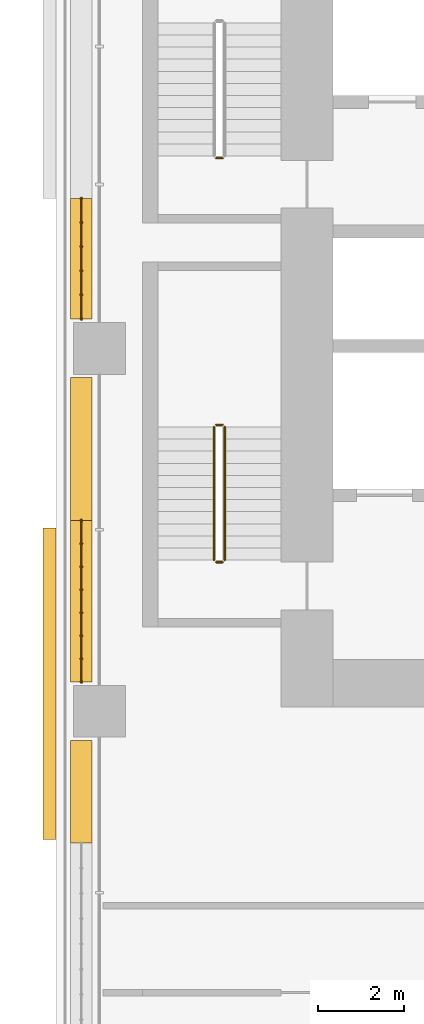
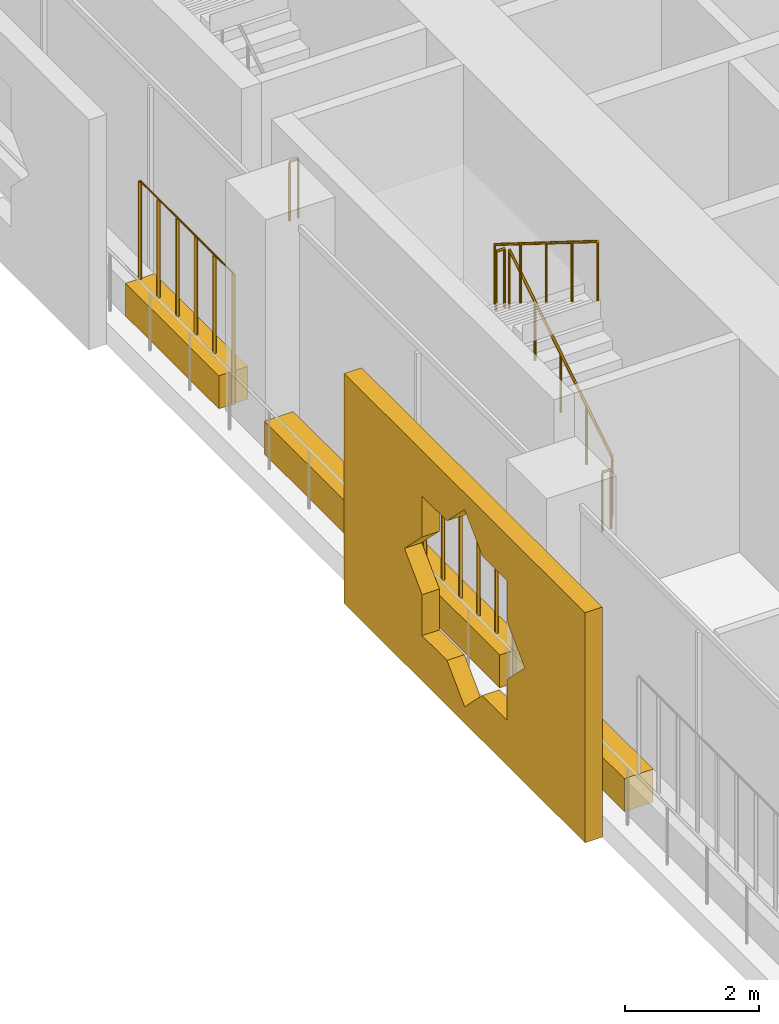
# One storey, part 23 of 28: 7 railings, 5 coverings.
"""IFC4 building model written with IfcOpenShell, lengths in metres."""

from ifc_helpers import new_model, si_unit, direction, frame, origin, origin_2d, place, context, subcontext, project, spatial, polyline, rectangle, circle, outline, extrude, material, material_profile, profile_set, type_object, element, save


model = new_model("IFC4")

# Units and contexts
model_context = context("Model", 3, precision=1e-05, world=origin(), true_north=direction((0.0, 1.0)))
body_context = subcontext(model_context, "Body", "Model", "MODEL_VIEW")
ifc_project = project(units=[si_unit("LENGTHUNIT", "METRE"), si_unit("AREAUNIT", "SQUARE_METRE"), si_unit("VOLUMEUNIT", "CUBIC_METRE"), si_unit("PLANEANGLEUNIT", "RADIAN"), si_unit("MASSUNIT", "GRAM", prefix="KILO")], contexts=[model_context])

# Site, building, storey
site_placement = place(None, origin())
site = spatial("IfcSite", under=ifc_project, at=site_placement, CompositionType="ELEMENT")
building_placement = place(site_placement, origin())
building = spatial("IfcBuilding", under=site, at=building_placement, Name="Kawkab Arch Medical Tower", CompositionType="ELEMENT")
storey_placement = place(building_placement, frame((0.0, 0.0, 77.0)))
storey = spatial("IfcBuildingStorey", under=building, at=storey_placement, Name="L17", CompositionType="ELEMENT", Elevation=77.0)

# Coverings
ifc_material_1 = material(Name="Bronze anodised aluminium mashrabiya panel, eight-point star pattern", Category="aluminium")
ifc_material_profile_1 = material_profile(ifc_material_1, outline(polyline([(-3.60009765625, -2.10009765625), (3.60009765625, -2.10009765625), (3.60009765625, 2.10009765625), (-3.60009765625, 2.10009765625), (-3.60009765625, -2.10009765625)]), holes=[polyline([(1.800048828125, 0.0), (1.272705078125, 0.527099609375), (1.272705078125, 1.272705078125), (0.527099609375, 1.272705078125), (0.0, 1.800048828125), (-0.527099609375, 1.272705078125), (-1.272705078125, 1.272705078125), (-1.272705078125, 0.527099609375), (-1.800048828125, 0.0), (-1.272705078125, -0.527099609375), (-1.272705078125, -1.272705078125), (-0.527099609375, -1.272705078125), (0.0, -1.800048828125), (0.527099609375, -1.272705078125), (1.272705078125, -1.272705078125), (1.272705078125, -0.527099609375), (1.800048828125, 0.0)])]), Name="Mashrabiya panel 7200x4200")
ifc_profile_set_1 = profile_set([ifc_material_profile_1], Name="Bronze anodised aluminium mashrabiya panel, eight-point star pattern")
covering_type_1 = type_object("IfcCoveringType", Name="Mashrabiya panel 7200 x 4200", PredefinedType="USERDEFINED", material=ifc_profile_set_1)
covering_1_placement = place(storey_placement, frame((-1.0, -24.561767578125, 1.699951171875), z_axis=(-1.0, 0.0, 0.0), x_axis=(0.0, -1.0, 0.0)))
element("IfcCovering", 1, at=covering_1_placement, inside=storey, type_object=covering_type_1, Name="Mashrabiya panel L17.LOG-01-01.4", ObjectType="SCREEN", PredefinedType="USERDEFINED", context=body_context, shape_type="SweptSolid", body=[
    extrude(outline(polyline([(-3.60009765625, -2.10009765625), (3.60009765625, -2.10009765625), (3.60009765625, 2.10009765625), (-3.60009765625, 2.10009765625), (-3.60009765625, -2.10009765625)]), holes=[polyline([(1.800048828125, 0.0), (1.272705078125, 0.527099609375), (1.272705078125, 1.272705078125), (0.527099609375, 1.272705078125), (0.0, 1.800048828125), (-0.527099609375, 1.272705078125), (-1.272705078125, 1.272705078125), (-1.272705078125, 0.527099609375), (-1.800048828125, 0.0), (-1.272705078125, -0.527099609375), (-1.272705078125, -1.272705078125), (-0.527099609375, -1.272705078125), (0.0, -1.800048828125), (0.527099609375, -1.272705078125), (1.272705078125, -1.272705078125), (1.272705078125, -0.527099609375), (1.800048828125, 0.0)])]), origin(), (0.0, 0.0, 1.0), 0.300048828125),
])
ifc_material_2 = material(Name="Planting soil in a precast trough", Category="concrete")
ifc_material_profile_2 = material_profile(ifc_material_2, rectangle(XDim=0.5, YDim=0.60009765625, at=origin_2d()), Name="Trough 500x600")
ifc_profile_set_2 = profile_set([ifc_material_profile_2], Name="Planting soil in a precast trough")
covering_type_2 = type_object("IfcCoveringType", Name="Planter trough 500 x 600", PredefinedType="USERDEFINED", material=ifc_profile_set_2)
covering_2_placement = place(storey_placement, frame((-0.419921875, -28.243896484375, 0.300048828125), z_axis=(0.0, 1.0, 0.0), x_axis=(-1.0, 0.0, 0.0)))
element("IfcCovering", 2, at=covering_2_placement, inside=storey, type_object=covering_type_2, Name="Planter L17.LOG-01-01.12", ObjectType="PLANTER", PredefinedType="USERDEFINED", context=body_context, shape_type="SweptSolid", body=[
    extrude(rectangle(XDim=0.5, YDim=0.60009765625, at=origin_2d()), origin(), (0.0, 0.0, 1.0), 2.364013671875),
])
covering_3_placement = place(storey_placement, frame((-0.419921875, -24.52001953125, 0.300048828125), z_axis=(0.0, 1.0, 0.0), x_axis=(-1.0, 0.0, 0.0)))
element("IfcCovering", 3, at=covering_3_placement, inside=storey, type_object=covering_type_2, Name="Planter L17.LOG-01-01.13", ObjectType="PLANTER", PredefinedType="USERDEFINED", context=body_context, shape_type="SweptSolid", body=[
    extrude(rectangle(XDim=0.5, YDim=0.60009765625, at=origin_2d()), origin(), (0.0, 0.0, 1.0), 3.73291015625),
])
covering_4_placement = place(storey_placement, frame((-0.419921875, -20.787109375, 0.300048828125), z_axis=(0.0, 1.0, 0.0), x_axis=(-1.0, 0.0, 0.0)))
element("IfcCovering", 4, at=covering_4_placement, inside=storey, type_object=covering_type_2, Name="Planter L17.LOG-01-01.14", ObjectType="PLANTER", PredefinedType="USERDEFINED", context=body_context, shape_type="SweptSolid", body=[
    extrude(rectangle(XDim=0.5, YDim=0.60009765625, at=origin_2d()), origin(), (0.0, 0.0, 1.0), 3.30712890625),
])
covering_5_placement = place(storey_placement, frame((-0.419921875, -16.1201171875, 0.300048828125), z_axis=(0.0, 1.0, 0.0), x_axis=(-1.0, 0.0, 0.0)))
element("IfcCovering", 5, at=covering_5_placement, inside=storey, type_object=covering_type_2, Name="Planter L17.LOG-01-01.15", ObjectType="PLANTER", PredefinedType="USERDEFINED", context=body_context, shape_type="SweptSolid", body=[
    extrude(rectangle(XDim=0.5, YDim=0.60009765625, at=origin_2d()), origin(), (0.0, 0.0, 1.0), 2.7890625),
])

# Railings
ifc_material_3 = material(Name="Bronze anodised aluminium trellis for climbing plants", Category="aluminium")
railing_type_1 = type_object("IfcRailingType", Name="Planting trellis 2400", PredefinedType="USERDEFINED", material=ifc_material_3)
railing_1_placement = place(storey_placement, frame((-0.419921875, -24.52001953125, 0.0)))
element("IfcRailing", 6, at=railing_1_placement, inside=storey, type_object=railing_type_1, Name="Planting trellis L17.LOG-01-01.13", ObjectType="TRELLIS", PredefinedType="USERDEFINED", context=body_context, shape_type="SweptSolid", body=[
    extrude(circle(Radius=0.01513671875, at=origin_2d()), frame((0.0, 0.0, 2.384765625), z_axis=(0.0, 1.0, 0.0), x_axis=(-1.0, 0.0, 0.0)), (0.0, 0.0, 1.0), 3.73291015625),
    extrude(circle(Radius=0.030029296875, at=origin_2d()), origin(), (0.0, 0.0, 1.0), 2.369873046875),
    extrude(circle(Radius=0.030029296875, at=origin_2d()), frame((0.0, 0.533203125, 0.0)), (0.0, 0.0, 1.0), 2.369873046875),
    extrude(circle(Radius=0.030029296875, at=origin_2d()), frame((0.0, 1.066650390625, 0.0)), (0.0, 0.0, 1.0), 2.369873046875),
    extrude(circle(Radius=0.030029296875, at=origin_2d()), frame((0.0, 1.599853515625, 0.0)), (0.0, 0.0, 1.0), 2.369873046875),
    extrude(circle(Radius=0.030029296875, at=origin_2d()), frame((0.0, 2.133056640625, 0.0)), (0.0, 0.0, 1.0), 2.369873046875),
    extrude(circle(Radius=0.030029296875, at=origin_2d()), frame((0.0, 2.666259765625, 0.0)), (0.0, 0.0, 1.0), 2.369873046875),
    extrude(circle(Radius=0.030029296875, at=origin_2d()), frame((0.0, 3.19970703125, 0.0)), (0.0, 0.0, 1.0), 2.369873046875),
    extrude(circle(Radius=0.030029296875, at=origin_2d()), frame((0.0, 3.73291015625, 0.0)), (0.0, 0.0, 1.0), 2.369873046875),
])
railing_2_placement = place(storey_placement, frame((-0.419921875, -16.1201171875, 0.0)))
element("IfcRailing", 7, at=railing_2_placement, inside=storey, type_object=railing_type_1, Name="Planting trellis L17.LOG-01-01.15", ObjectType="TRELLIS", PredefinedType="USERDEFINED", context=body_context, shape_type="SweptSolid", body=[
    extrude(circle(Radius=0.01513671875, at=origin_2d()), frame((0.0, 0.0, 2.384765625), z_axis=(0.0, 1.0, 0.0), x_axis=(-1.0, 0.0, 0.0)), (0.0, 0.0, 1.0), 2.7890625),
    extrude(circle(Radius=0.030029296875, at=origin_2d()), origin(), (0.0, 0.0, 1.0), 2.369873046875),
    extrude(circle(Radius=0.030029296875, at=origin_2d()), frame((0.0, 0.557861328125, 0.0)), (0.0, 0.0, 1.0), 2.369873046875),
    extrude(circle(Radius=0.030029296875, at=origin_2d()), frame((0.0, 1.11572265625, 0.0)), (0.0, 0.0, 1.0), 2.369873046875),
    extrude(circle(Radius=0.030029296875, at=origin_2d()), frame((0.0, 1.67333984375, 0.0)), (0.0, 0.0, 1.0), 2.369873046875),
    extrude(circle(Radius=0.030029296875, at=origin_2d()), frame((0.0, 2.231201171875, 0.0)), (0.0, 0.0, 1.0), 2.369873046875),
    extrude(circle(Radius=0.030029296875, at=origin_2d()), frame((0.0, 2.7890625, 0.0)), (0.0, 0.0, 1.0), 2.369873046875),
])
ifc_material_4 = material(Name="Stainless steel", Category="steel")
railing_type_2 = type_object("IfcRailingType", Name="Stair guard 1100", PredefinedType="GUARDRAIL", material=ifc_material_4)
railing_3_placement = place(storey_placement, frame((2.85009765625, -12.39990234375, 0.0)))
element("IfcRailing", 8, at=railing_3_placement, inside=storey, type_object=railing_type_2, Name="L17 ST1 stair guard 4", PredefinedType="GUARDRAIL", context=body_context, shape_type="SweptSolid", body=[
    extrude(circle(Radius=0.02392578125, at=origin_2d()), frame((0.0, 0.0, 1.076171875), z_axis=(-1.0, 0.0, 0.0), x_axis=(0.0, -1.0, 0.0)), (0.0, 0.0, 1.0), 0.150146484375),
    extrude(circle(Radius=0.02099609375, at=origin_2d()), origin(), (0.0, 0.0, 1.0), 1.052001953125),
    extrude(circle(Radius=0.02099609375, at=origin_2d()), frame((-0.150146484375, 0.0, 0.0)), (0.0, 0.0, 1.0), 1.052001953125),
])
railing_4_placement = place(storey_placement, frame((2.89990234375, -21.699951171875, 0.175048828125)))
element("IfcRailing", 9, at=railing_4_placement, inside=storey, type_object=railing_type_2, Name="L17 ST2 stair guard 1", PredefinedType="GUARDRAIL", context=body_context, shape_type="SweptSolid", body=[
    extrude(circle(Radius=0.02392578125, at=origin_2d()), frame((0.0, 0.0, 1.076171875), z_axis=(0.0, 0.847979421464, 0.530029150871), x_axis=(-1.0, 0.0, 0.0)), (0.0, 0.0, 1.0), 3.632080078125),
    extrude(circle(Radius=0.02099609375, at=origin_2d()), origin(), (0.0, 0.0, 1.0), 1.052001953125),
    extrude(circle(Radius=0.02099609375, at=origin_2d()), frame((0.0, 0.77001953125, 0.481201171875)), (0.0, 0.0, 1.0), 1.052001953125),
    extrude(circle(Radius=0.02099609375, at=origin_2d()), frame((0.0, 1.5400390625, 0.96240234375)), (0.0, 0.0, 1.0), 1.052001953125),
    extrude(circle(Radius=0.02099609375, at=origin_2d()), frame((0.0, 2.309814453125, 1.44384765625)), (0.0, 0.0, 1.0), 1.052001953125),
    extrude(circle(Radius=0.02099609375, at=origin_2d()), frame((0.0, 3.079833984375, 1.925048828125)), (0.0, 0.0, 1.0), 1.052001953125),
])
railing_5_placement = place(storey_placement, frame((2.85009765625, -18.570068359375, 2.10009765625)))
element("IfcRailing", 10, at=railing_5_placement, inside=storey, type_object=railing_type_2, Name="L17 ST2 stair guard 2", PredefinedType="GUARDRAIL", context=body_context, shape_type="SweptSolid", body=[
    extrude(circle(Radius=0.02392578125, at=origin_2d()), frame((0.0, 0.0, 1.076171875), z_axis=(-1.0, 0.0, 0.0), x_axis=(0.0, -1.0, 0.0)), (0.0, 0.0, 1.0), 0.150146484375),
    extrude(circle(Radius=0.02099609375, at=origin_2d()), origin(), (0.0, 0.0, 1.0), 1.052001953125),
    extrude(circle(Radius=0.02099609375, at=origin_2d()), frame((-0.150146484375, 0.0, 0.0)), (0.0, 0.0, 1.0), 1.052001953125),
])
railing_6_placement = place(storey_placement, frame((2.64990234375, -18.6201171875, 2.27490234375)))
element("IfcRailing", 11, at=railing_6_placement, inside=storey, type_object=railing_type_2, Name="L17 ST2 stair guard 3", PredefinedType="GUARDRAIL", context=body_context, shape_type="SweptSolid", body=[
    extrude(circle(Radius=0.02392578125, at=origin_2d()), frame((0.0, 0.0, 1.076171875), z_axis=(0.0, -0.847979421464, 0.530029150871), x_axis=(1.0, 0.0, 0.0)), (0.0, 0.0, 1.0), 3.632080078125),
    extrude(circle(Radius=0.02099609375, at=origin_2d()), origin(), (0.0, 0.0, 1.0), 1.052001953125),
    extrude(circle(Radius=0.02099609375, at=origin_2d()), frame((0.0, -0.77001953125, 0.481201171875)), (0.0, 0.0, 1.0), 1.052001953125),
    extrude(circle(Radius=0.02099609375, at=origin_2d()), frame((0.0, -1.5400390625, 0.96240234375)), (0.0, 0.0, 1.0), 1.052001953125),
    extrude(circle(Radius=0.02099609375, at=origin_2d()), frame((0.0, -2.309814453125, 1.44384765625)), (0.0, 0.0, 1.0), 1.052001953125),
    extrude(circle(Radius=0.02099609375, at=origin_2d()), frame((0.0, -3.079833984375, 1.925048828125)), (0.0, 0.0, 1.0), 1.052001953125),
])
railing_7_placement = place(storey_placement, frame((2.85009765625, -21.75, 0.0)))
element("IfcRailing", 12, at=railing_7_placement, inside=storey, type_object=railing_type_2, Name="L17 ST2 stair guard 4", PredefinedType="GUARDRAIL", context=body_context, shape_type="SweptSolid", body=[
    extrude(circle(Radius=0.02392578125, at=origin_2d()), frame((0.0, 0.0, 1.076171875), z_axis=(-1.0, 0.0, 0.0), x_axis=(0.0, -1.0, 0.0)), (0.0, 0.0, 1.0), 0.150146484375),
    extrude(circle(Radius=0.02099609375, at=origin_2d()), origin(), (0.0, 0.0, 1.0), 1.052001953125),
    extrude(circle(Radius=0.02099609375, at=origin_2d()), frame((-0.150146484375, 0.0, 0.0)), (0.0, 0.0, 1.0), 1.052001953125),
])

save(model, "model.ifc")
